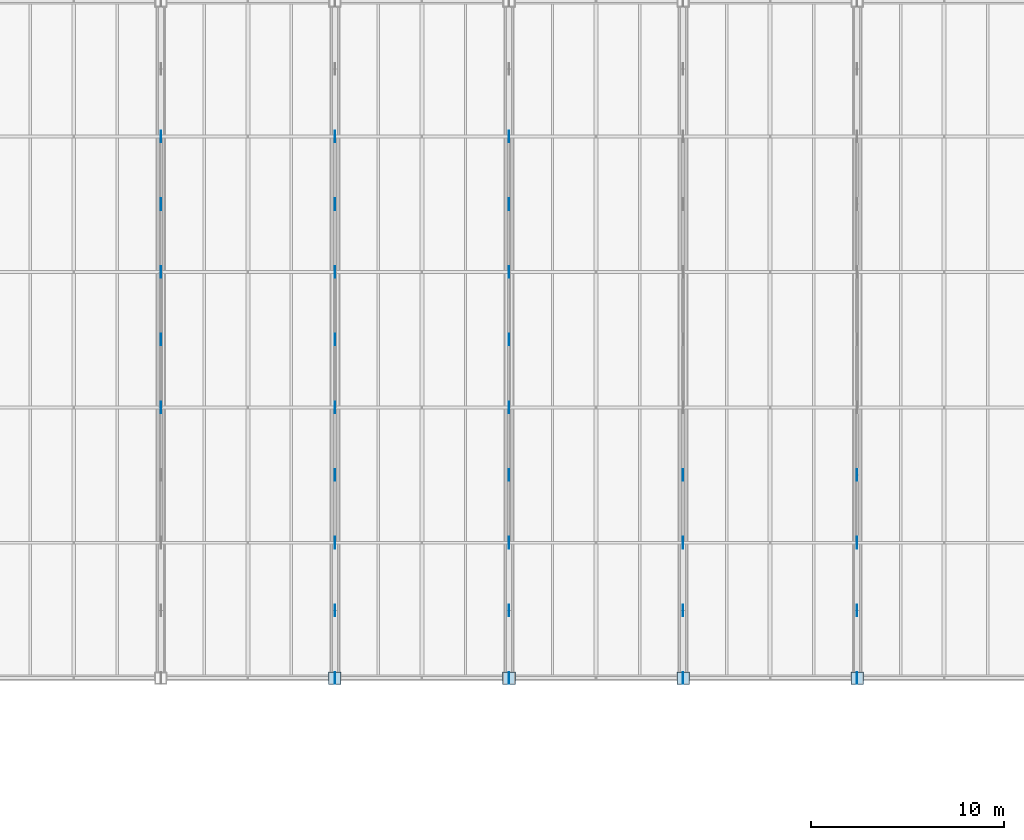
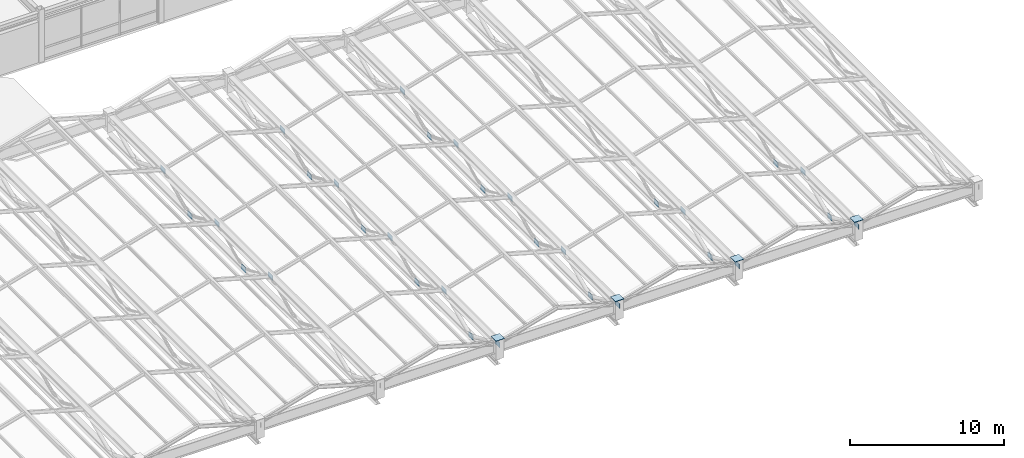
# One storey, part 71 of 108: 35 plates.
"""IFC4 building model written with IfcOpenShell, lengths in metres."""

from ifc_helpers import new_model, si_unit, direction, frame, origin, origin_2d, place, context, subcontext, project, spatial, rectangle, extrude, material, layer, layer_set, type_object, element, save


model = new_model("IFC4")

# Units and contexts
model_context = context("Model", 3, precision=1e-05, world=origin(), true_north=direction((0.0, 1.0)))
body_context = subcontext(model_context, "Body", "Model", "MODEL_VIEW")
ifc_project = project(units=[si_unit("LENGTHUNIT", "METRE"), si_unit("AREAUNIT", "SQUARE_METRE"), si_unit("VOLUMEUNIT", "CUBIC_METRE"), si_unit("PLANEANGLEUNIT", "RADIAN"), si_unit("MASSUNIT", "GRAM", prefix="KILO")], contexts=[model_context])

# Site, building, storey
site_placement = place(None, origin())
site = spatial("IfcSite", under=ifc_project, at=site_placement, CompositionType="ELEMENT")
building_placement = place(site_placement, origin())
building = spatial("IfcBuilding", under=site, at=building_placement, Name="Suzunagisa Mobility Hub", CompositionType="ELEMENT")
storey_placement = place(building_placement, frame((0.0, 0.0, 9.300048828125)))
storey = spatial("IfcBuildingStorey", under=building, at=storey_placement, Name="L02", CompositionType="ELEMENT", Elevation=9.300048828125)

# Plates
ifc_material = material(Name="Steel SN490B", Category="steel")
ifc_layer_1 = layer(ifc_material, 0.031982421875)
ifc_layer_set_1 = layer_set([ifc_layer_1], Name="Steel SN490B")
plate_type_1 = type_object("IfcPlateType", Name="Structural Steel Plate SP-05 650x650x32", PredefinedType="USERDEFINED", material=ifc_layer_set_1)
for number, where, z_axis, x_axis, name in (
    (1, (81.0, 36.0, 1.5), (0.0, 0.0, 1.0), (1.0, 0.0, 0.0), "L02 Column Cap Plate CP-167"),
    (2, (90.0, 36.0, 1.5), (0.0, 0.0, 1.0), (1.0, 0.0, 0.0), "L02 Column Cap Plate CP-183"),
    (3, (99.0, 36.0, 1.5), (0.0, 0.0, 1.0), (1.0, 0.0, 0.0), "L02 Column Cap Plate CP-192"),
    (4, (108.0, 36.0, 1.5), (0.0, 0.0, 1.0), (1.0, 0.0, 0.0), "L02 Column Cap Plate CP-201"),
):
    element("IfcPlate", number, at=place(storey_placement, frame(where, z_axis=z_axis, x_axis=x_axis)), inside=storey, type_object=plate_type_1, Name=name, ObjectType="BASE PLATE", PredefinedType="USERDEFINED", context=body_context, shape_type="SweptSolid", body=[
        extrude(rectangle(XDim=0.64990234375, YDim=0.64990234375, at=origin_2d()), origin(), (0.0, 0.0, 1.0), 0.031982421875),
    ])
ifc_layer_2 = layer(ifc_material, 0.028076171875)
ifc_layer_set_2 = layer_set([ifc_layer_2], Name="Steel SN490B")
plate_type_2 = type_object("IfcPlateType", Name="Structural Steel Plate SP-06 600x400x28", PredefinedType="USERDEFINED", material=ifc_layer_set_2)
for number, where, z_axis, x_axis, name in (
    (5, (72.0, 53.5, -0.646240234375), (0.0, 0.0, 1.0), (1.0, 0.0, 0.0), "Folded-Plate Truss Node Gusset GP-36"),
    (6, (72.0, 60.5, -0.646240234375), (0.0, 0.0, 1.0), (1.0, 0.0, 0.0), "Folded-Plate Truss Node Gusset GP-37"),
    (7, (72.0, 50.0, 0.853759765625), (0.0, 0.0, 1.0), (1.0, 0.0, 0.0), "Folded-Plate Truss Top-Chord Node Gusset TGP-41"),
    (8, (72.0, 57.0, 0.853759765625), (0.0, 0.0, 1.0), (1.0, 0.0, 0.0), "Folded-Plate Truss Top-Chord Node Gusset TGP-42"),
    (9, (72.0, 64.0, 0.853759765625), (0.0, 0.0, 1.0), (1.0, 0.0, 0.0), "Folded-Plate Truss Top-Chord Node Gusset TGP-43"),
    (10, (81.0, 39.5, -0.646240234375), (0.0, 0.0, 1.0), (1.0, 0.0, 0.0), "Folded-Plate Truss Node Gusset GP-45"),
    (11, (81.0, 46.5, -0.646240234375), (0.0, 0.0, 1.0), (1.0, 0.0, 0.0), "Folded-Plate Truss Node Gusset GP-46"),
    (12, (81.0, 53.5, -0.646240234375), (0.0, 0.0, 1.0), (1.0, 0.0, 0.0), "Folded-Plate Truss Node Gusset GP-47"),
    (13, (81.0, 60.5, -0.646240234375), (0.0, 0.0, 1.0), (1.0, 0.0, 0.0), "Folded-Plate Truss Node Gusset GP-48"),
    (14, (81.0, 36.0, 0.853759765625), (0.0, 0.0, 1.0), (1.0, 0.0, 0.0), "Folded-Plate Truss Top-Chord Node Gusset TGP-50"),
    (15, (81.0, 43.0, 0.853759765625), (0.0, 0.0, 1.0), (1.0, 0.0, 0.0), "Folded-Plate Truss Top-Chord Node Gusset TGP-51"),
    (16, (81.0, 50.0, 0.853759765625), (0.0, 0.0, 1.0), (1.0, 0.0, 0.0), "Folded-Plate Truss Top-Chord Node Gusset TGP-52"),
    (17, (81.0, 57.0, 0.853759765625), (0.0, 0.0, 1.0), (1.0, 0.0, 0.0), "Folded-Plate Truss Top-Chord Node Gusset TGP-53"),
    (18, (81.0, 64.0, 0.853759765625), (0.0, 0.0, 1.0), (1.0, 0.0, 0.0), "Folded-Plate Truss Top-Chord Node Gusset TGP-54"),
    (19, (90.0, 39.5, -0.646240234375), (0.0, 0.0, 1.0), (1.0, 0.0, 0.0), "Folded-Plate Truss Node Gusset GP-56"),
    (20, (90.0, 46.5, -0.646240234375), (0.0, 0.0, 1.0), (1.0, 0.0, 0.0), "Folded-Plate Truss Node Gusset GP-57"),
    (21, (90.0, 53.5, -0.646240234375), (0.0, 0.0, 1.0), (1.0, 0.0, 0.0), "Folded-Plate Truss Node Gusset GP-58"),
    (22, (90.0, 60.5, -0.646240234375), (0.0, 0.0, 1.0), (1.0, 0.0, 0.0), "Folded-Plate Truss Node Gusset GP-59"),
    (23, (90.0, 36.0, 0.853759765625), (0.0, 0.0, 1.0), (1.0, 0.0, 0.0), "Folded-Plate Truss Top-Chord Node Gusset TGP-61"),
    (24, (90.0, 43.0, 0.853759765625), (0.0, 0.0, 1.0), (1.0, 0.0, 0.0), "Folded-Plate Truss Top-Chord Node Gusset TGP-62"),
    (25, (90.0, 50.0, 0.853759765625), (0.0, 0.0, 1.0), (1.0, 0.0, 0.0), "Folded-Plate Truss Top-Chord Node Gusset TGP-63"),
    (26, (90.0, 57.0, 0.853759765625), (0.0, 0.0, 1.0), (1.0, 0.0, 0.0), "Folded-Plate Truss Top-Chord Node Gusset TGP-64"),
    (27, (90.0, 64.0, 0.853759765625), (0.0, 0.0, 1.0), (1.0, 0.0, 0.0), "Folded-Plate Truss Top-Chord Node Gusset TGP-65"),
    (28, (99.0, 39.5, -0.646240234375), (0.0, 0.0, 1.0), (1.0, 0.0, 0.0), "Folded-Plate Truss Node Gusset GP-67"),
    (29, (99.0, 46.5, -0.646240234375), (0.0, 0.0, 1.0), (1.0, 0.0, 0.0), "Folded-Plate Truss Node Gusset GP-68"),
    (30, (99.0, 36.0, 0.853759765625), (0.0, 0.0, 1.0), (1.0, 0.0, 0.0), "Folded-Plate Truss Top-Chord Node Gusset TGP-72"),
    (31, (99.0, 43.0, 0.853759765625), (0.0, 0.0, 1.0), (1.0, 0.0, 0.0), "Folded-Plate Truss Top-Chord Node Gusset TGP-73"),
    (32, (108.0, 39.5, -0.646240234375), (0.0, 0.0, 1.0), (1.0, 0.0, 0.0), "Folded-Plate Truss Node Gusset GP-78"),
    (33, (108.0, 46.5, -0.646240234375), (0.0, 0.0, 1.0), (1.0, 0.0, 0.0), "Folded-Plate Truss Node Gusset GP-79"),
    (34, (108.0, 36.0, 0.853759765625), (0.0, 0.0, 1.0), (1.0, 0.0, 0.0), "Folded-Plate Truss Top-Chord Node Gusset TGP-83"),
    (35, (108.0, 43.0, 0.853759765625), (0.0, 0.0, 1.0), (1.0, 0.0, 0.0), "Folded-Plate Truss Top-Chord Node Gusset TGP-84"),
):
    element("IfcPlate", number, at=place(storey_placement, frame(where, z_axis=z_axis, x_axis=x_axis)), inside=storey, type_object=plate_type_2, Name=name, ObjectType="GUSSET PLATE", PredefinedType="USERDEFINED", context=body_context, shape_type="SweptSolid", body=[
        extrude(rectangle(XDim=0.028076171875, YDim=0.60009765625, at=origin_2d()), origin(), (0.0, 0.0, 1.0), 0.39990234375),
    ])

save(model, "model.ifc")
